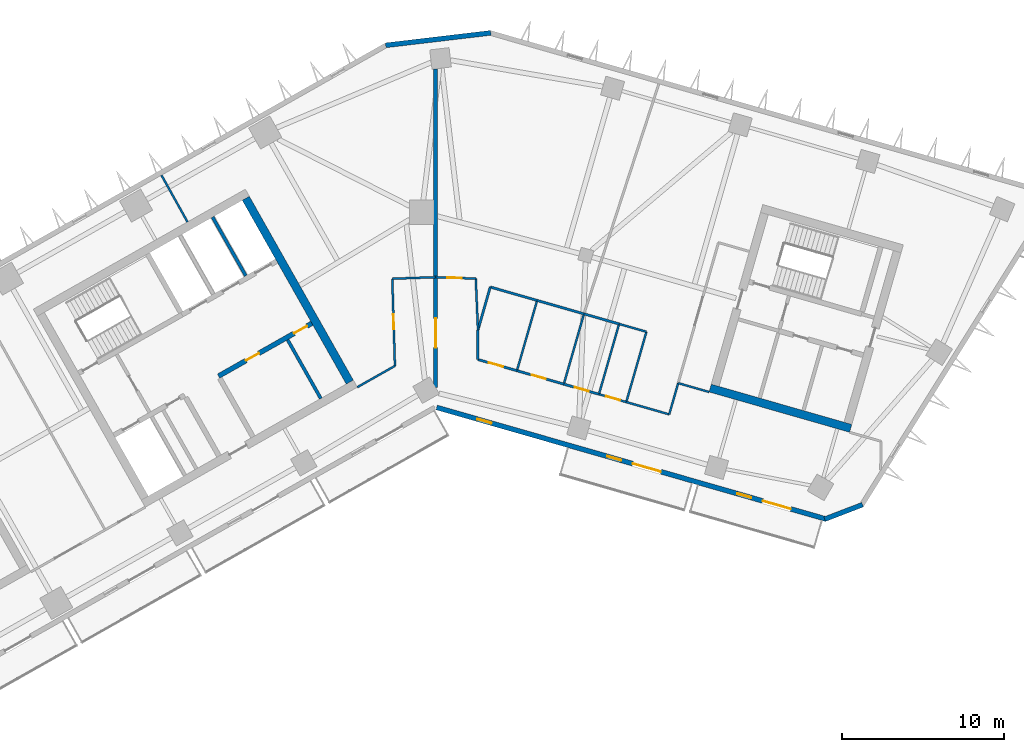
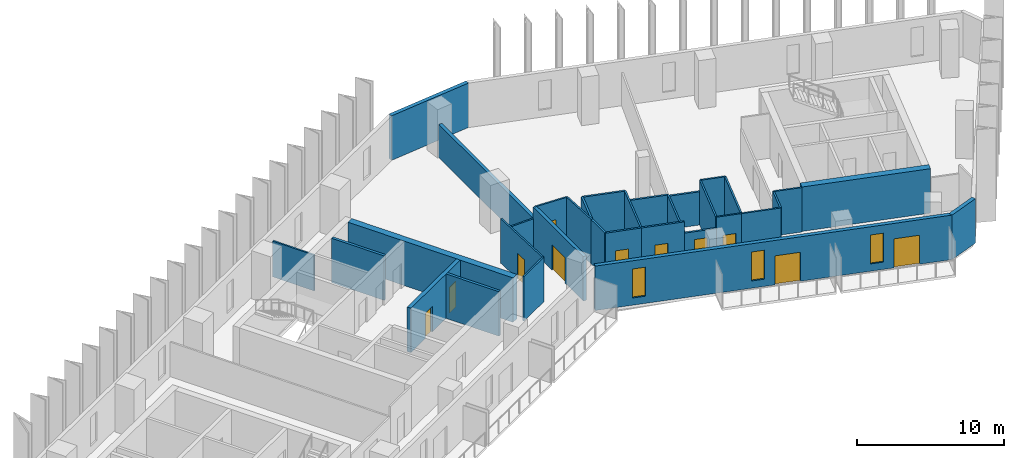
# One storey, part 5 of 10: 33 walls, 11 doors, 3 windows, 14 openings.
"""IFC4 building model written with IfcOpenShell, lengths in metres."""

from ifc_helpers import new_model, si_unit, direction, frame, frame_2d, origin, place, context, subcontext, project, spatial, rectangle, extrude, material, layer, layer_set, type_object, element, fill, save


model = new_model("IFC4")

# Units and contexts
model_context = context("Model", 3, precision=1e-05, world=origin(), true_north=direction((0.0, 1.0)))
body_context = subcontext(model_context, "Body", "Model", "MODEL_VIEW")
ifc_project = project(units=[si_unit("LENGTHUNIT", "METRE"), si_unit("AREAUNIT", "SQUARE_METRE"), si_unit("VOLUMEUNIT", "CUBIC_METRE"), si_unit("PLANEANGLEUNIT", "RADIAN"), si_unit("MASSUNIT", "GRAM", prefix="KILO")], contexts=[model_context])

# Site, building, storey
site_placement = place(None, origin())
site = spatial("IfcSite", under=ifc_project, at=site_placement, CompositionType="ELEMENT")
building_placement = place(site_placement, origin())
building = spatial("IfcBuilding", under=site, at=building_placement, Name="Binnacle Exchange Tower", CompositionType="ELEMENT")
storey_placement = place(building_placement, frame((0.0, 0.0, 178.89990234375)))
storey = spatial("IfcBuildingStorey", under=building, at=storey_placement, Name="L38", CompositionType="ELEMENT", Elevation=178.89990234375)

# Wall
ifc_material_1 = material(Name="Gypsum partition fire rated")
ifc_layer_1 = layer(ifc_material_1, 0.199951171875)
ifc_layer_set_1 = layer_set([ifc_layer_1], Name="Core partition 200")
wall_type_1 = type_object("IfcWallType", Name="Core partition 200", PredefinedType="PARTITIONING", material=ifc_layer_set_1)
wall_1_placement = place(storey_placement, frame((-9.11279296875, 52.14404296875, 0.0), z_axis=(0.0, 0.0, 1.0), x_axis=(0.492396453737, -0.870371031427, 0.0)))
element("IfcWall", 1, at=wall_1_placement, inside=storey, type_object=wall_type_1, Name="Core wall CRWC22", PredefinedType="PARTITIONING", context=body_context, shape_type="SweptSolid", body=[
    extrude(rectangle(XDim=4.14990234375, YDim=0.199951171875, at=frame_2d((2.074951171875, 0.0))), origin(), (0.0, 0.0, 1.0), 3.68017578125),
])

# Wall, openings, doors
ifc_material_2 = material(Name="Concrete C70/85", Category="concrete")
ifc_layer_2 = layer(ifc_material_2, 0.300048828125)
ifc_layer_set_2 = layer_set([ifc_layer_2], Name="Core wall - front 300")
wall_type_2 = type_object("IfcWallType", Name="Core wall - front 300", PredefinedType="SOLIDWALL", material=ifc_layer_set_2)
wall_2_placement = place(storey_placement, frame((-13.364501953125, 49.910888671875, 0.0), z_axis=(0.0, 0.0, 1.0), x_axis=(0.870356769198, 0.492421663121, 0.0)))
wall_2 = element("IfcWall", 2, at=wall_2_placement, inside=storey, type_object=wall_type_2, Name="Core wall CRWC3", PredefinedType="SOLIDWALL", context=body_context, shape_type="SweptSolid", body=[
    extrude(rectangle(XDim=6.60009765625, YDim=0.300048828125, at=frame_2d((3.300048828125, 0.0))), origin(), (0.0, 0.0, 1.0), 3.68017578125),
])
opening_1_placement = place(wall_2_placement, frame((1.949951171875, 0.0, 0.0)))
opening_1 = element("IfcOpeningElement", 3, at=opening_1_placement, cuts=wall_2, Name="Opening DC18", PredefinedType="OPENING", context=body_context, shape_type="SweptSolid", body=[
    extrude(rectangle(XDim=0.89990234375, YDim=2.10009765625, at=frame_2d((0.449951171875, 1.050048828125))), frame((0.0, 0.159912109375, 0.0), z_axis=(0.0, -1.0, 0.0), x_axis=(1.0, 0.0, 0.0)), (0.0, 0.0, 1.0), 0.320068359375),
])
opening_2_placement = place(wall_2_placement, frame((5.35009765625, 0.0, 0.0)))
opening_2 = element("IfcOpeningElement", 4, at=opening_2_placement, cuts=wall_2, Name="Opening DC19", PredefinedType="OPENING", context=body_context, shape_type="SweptSolid", body=[
    extrude(rectangle(XDim=0.89990234375, YDim=2.10009765625, at=frame_2d((0.449951171875, 1.050048828125))), frame((0.0, 0.159912109375, 0.0), z_axis=(0.0, -1.0, 0.0), x_axis=(1.0, 0.0, 0.0)), (0.0, 0.0, 1.0), 0.320068359375),
])
ifc_material_3 = material(Name="Steel door leaf", Category="steel")
door_type_1 = type_object("IfcDoorType", Name="Fire door 900", OperationType="NOTDEFINED", PredefinedType="DOOR", material=ifc_material_3)
door_1_placement = place(opening_1_placement, frame((0.89990234375, 0.0, 0.0), z_axis=(0.0, 0.0, 1.0), x_axis=(-1.0, 0.0, 0.0)))
door_1 = element("IfcDoor", 5, at=door_1_placement, inside=storey, type_object=door_type_1, Name="Core room door TELECOM RISER ROOM", OperationType="SINGLE_SWING_RIGHT", OverallHeight=2.10009765625, OverallWidth=0.89990234375, PredefinedType="DOOR", context=body_context, shape_type="SweptSolid", body=[
    extrude(rectangle(XDim=0.89990234375, YDim=2.10009765625, at=frame_2d((0.449951171875, 1.050048828125))), frame((0.0, 0.02490234375, 0.0), z_axis=(0.0, -1.0, 0.0), x_axis=(1.0, 0.0, 0.0)), (0.0, 0.0, 1.0), 0.050048828125),
])
fill(opening_1, door_1)
door_2_placement = place(opening_2_placement, frame((0.89990234375, 0.0, 0.0), z_axis=(0.0, 0.0, 1.0), x_axis=(-1.0, 0.0, 0.0)))
door_2 = element("IfcDoor", 6, at=door_2_placement, inside=storey, type_object=door_type_1, Name="Core room door FIBRE ENTRY ROOM", OperationType="SINGLE_SWING_LEFT", OverallHeight=2.10009765625, OverallWidth=0.89990234375, PredefinedType="DOOR", context=body_context, shape_type="SweptSolid", body=[
    extrude(rectangle(XDim=0.89990234375, YDim=2.10009765625, at=frame_2d((0.449951171875, 1.050048828125))), frame((0.0, 0.02490234375, 0.0), z_axis=(0.0, -1.0, 0.0), x_axis=(1.0, 0.0, 0.0)), (0.0, 0.0, 1.0), 0.050048828125),
])
fill(opening_2, door_2)

# Walls
ifc_layer_3 = layer(ifc_material_2, 0.5)
ifc_layer_set_3 = layer_set([ifc_layer_3], Name="Core wall - outer 500")
wall_type_3 = type_object("IfcWallType", Name="Core wall - outer 500", PredefinedType="SOLIDWALL", material=ifc_layer_set_3)
wall_3_placement = place(storey_placement, frame((-11.686767578125, 60.856201171875, 0.0), z_axis=(0.0, 0.0, 1.0), x_axis=(0.492427267353, -0.870353598469, 0.0)))
element("IfcWall", 7, at=wall_3_placement, inside=storey, type_object=wall_type_3, Name="Core wall CRWC24", PredefinedType="SOLIDWALL", context=body_context, shape_type="SweptSolid", body=[
    extrude(rectangle(XDim=13.0, YDim=0.5, at=frame_2d((6.5, 0.0))), origin(), (0.0, 0.0, 1.0), 3.68017578125),
])
wall_4_placement = place(storey_placement, frame((16.896728515625, 49.173095703125, 0.0), z_axis=(0.0, 0.0, 1.0), x_axis=(0.96126248289, -0.275634611374, 0.0)))
element("IfcWall", 8, at=wall_4_placement, inside=storey, type_object=wall_type_3, Name="Core wall CRWD1", PredefinedType="SOLIDWALL", context=body_context, shape_type="SweptSolid", body=[
    extrude(rectangle(XDim=9.0, YDim=0.5, at=frame_2d((4.5, 0.0))), origin(), (0.0, 0.0, 1.0), 3.68017578125),
])

# Wall, openings, doors, windows
ifc_material_4 = material(Name="Bronze aluminium cladding", Category="aluminium")
ifc_layer_4 = layer(ifc_material_4, 0.300048828125)
ifc_layer_set_4 = layer_set([ifc_layer_4], Name="External wall - spandrel 300")
wall_type_4 = type_object("IfcWallType", Name="External wall - spandrel 300", PredefinedType="STANDARD", material=ifc_layer_set_4)
wall_5_placement = place(storey_placement, frame((24.04248046875, 41.10595703125, 0.0), z_axis=(0.0, 0.0, 1.0), x_axis=(-0.961261693976, 0.275637362661, 0.0)))
wall_5 = element("IfcWall", 9, at=wall_5_placement, inside=storey, type_object=wall_type_4, Name="External wall EW-G02 L38", PredefinedType="STANDARD", context=body_context, shape_type="SweptSolid", body=[
    extrude(rectangle(XDim=24.948486328125, YDim=0.300048828125, at=frame_2d((12.47412109375, 0.0))), origin(), (0.0, 0.0, 1.0), 3.68017578125),
])
opening_3_placement = place(wall_5_placement, frame((21.441162109375, 0.0, 0.60009765625)))
opening_3 = element("IfcOpeningElement", 10, at=opening_3_placement, cuts=wall_5, Name="Opening WS3", PredefinedType="OPENING", context=body_context, shape_type="SweptSolid", body=[
    extrude(rectangle(XDim=0.89990234375, YDim=2.39990234375, at=frame_2d((0.449951171875, 1.199951171875))), frame((0.0, 0.159912109375, 0.0), z_axis=(0.0, -1.0, 0.0), x_axis=(1.0, 0.0, 0.0)), (0.0, 0.0, 1.0), 0.320068359375),
])
opening_4_placement = place(wall_5_placement, frame((13.120849609375, 0.0, 0.60009765625)))
opening_4 = element("IfcOpeningElement", 11, at=opening_4_placement, cuts=wall_5, Name="Opening WS3", PredefinedType="OPENING", context=body_context, shape_type="SweptSolid", body=[
    extrude(rectangle(XDim=0.89990234375, YDim=2.39990234375, at=frame_2d((0.449951171875, 1.199951171875))), frame((0.0, 0.159912109375, 0.0), z_axis=(0.0, -1.0, 0.0), x_axis=(1.0, 0.0, 0.0)), (0.0, 0.0, 1.0), 0.320068359375),
])
opening_5_placement = place(wall_5_placement, frame((10.5908203125, 0.0, 0.0)))
opening_5 = element("IfcOpeningElement", 12, at=opening_5_placement, cuts=wall_5, Name="Opening D-FS11-06", PredefinedType="OPENING", context=body_context, shape_type="SweptSolid", body=[
    extrude(rectangle(XDim=1.800048828125, YDim=2.39990234375, at=frame_2d((0.89990234375, 1.199951171875))), frame((0.0, 0.159912109375, 0.0), z_axis=(0.0, -1.0, 0.0), x_axis=(1.0, 0.0, 0.0)), (0.0, 0.0, 1.0), 0.320068359375),
])
opening_6_placement = place(wall_5_placement, frame((4.80029296875, 0.0, 0.60009765625)))
opening_6 = element("IfcOpeningElement", 13, at=opening_6_placement, cuts=wall_5, Name="Opening WS3", PredefinedType="OPENING", context=body_context, shape_type="SweptSolid", body=[
    extrude(rectangle(XDim=0.89990234375, YDim=2.39990234375, at=frame_2d((0.449951171875, 1.199951171875))), frame((0.0, 0.159912109375, 0.0), z_axis=(0.0, -1.0, 0.0), x_axis=(1.0, 0.0, 0.0)), (0.0, 0.0, 1.0), 0.320068359375),
])
opening_7_placement = place(wall_5_placement, frame((2.270263671875, 0.0, 0.0)))
opening_7 = element("IfcOpeningElement", 14, at=opening_7_placement, cuts=wall_5, Name="Opening D-FS11-07", PredefinedType="OPENING", context=body_context, shape_type="SweptSolid", body=[
    extrude(rectangle(XDim=1.800048828125, YDim=2.39990234375, at=frame_2d((0.89990234375, 1.199951171875))), frame((0.0, 0.159912109375, 0.0), z_axis=(0.0, -1.0, 0.0), x_axis=(1.0, 0.0, 0.0)), (0.0, 0.0, 1.0), 0.320068359375),
])
ifc_material_5 = material(Name="Bronze anodised aluminium frame", Category="aluminium")
door_type_2 = type_object("IfcDoorType", Name="DB DOOR 1800x2400", OperationType="DOUBLE_DOOR_SINGLE_SWING", PredefinedType="DOOR", material=ifc_material_5)
door_3_placement = place(opening_5_placement, origin())
door_3 = element("IfcDoor", 15, at=door_3_placement, inside=storey, type_object=door_type_2, Name="Door D-FS11-06 L38", OperationType="DOUBLE_DOOR_SINGLE_SWING", OverallHeight=2.39990234375, OverallWidth=1.800048828125, PredefinedType="DOOR", context=body_context, shape_type="SweptSolid", body=[
    extrude(rectangle(XDim=1.800048828125, YDim=2.39990234375, at=frame_2d((0.89990234375, 1.199951171875))), frame((0.0, 0.02490234375, 0.0), z_axis=(0.0, -1.0, 0.0), x_axis=(1.0, 0.0, 0.0)), (0.0, 0.0, 1.0), 0.050048828125),
])
fill(opening_5, door_3)
door_4_placement = place(opening_7_placement, origin())
door_4 = element("IfcDoor", 16, at=door_4_placement, inside=storey, type_object=door_type_2, Name="Door D-FS11-07 L38", OperationType="DOUBLE_DOOR_SINGLE_SWING", OverallHeight=2.39990234375, OverallWidth=1.800048828125, PredefinedType="DOOR", context=body_context, shape_type="SweptSolid", body=[
    extrude(rectangle(XDim=1.800048828125, YDim=2.39990234375, at=frame_2d((0.89990234375, 1.199951171875))), frame((0.0, 0.02490234375, 0.0), z_axis=(0.0, -1.0, 0.0), x_axis=(1.0, 0.0, 0.0)), (0.0, 0.0, 1.0), 0.050048828125),
])
fill(opening_7, door_4)
window_type = type_object("IfcWindowType", Name="WS3 WINDOW 900x2400", PartitioningType="SINGLE_PANEL", PredefinedType="WINDOW", material=ifc_material_5)
window_1_placement = place(opening_3_placement, origin())
window_1 = element("IfcWindow", 17, at=window_1_placement, inside=storey, type_object=window_type, Name="Window WS3 L38", OverallHeight=2.39990234375, OverallWidth=0.89990234375, PartitioningType="SINGLE_PANEL", PredefinedType="WINDOW", context=body_context, shape_type="SweptSolid", body=[
    extrude(rectangle(XDim=0.89990234375, YDim=2.39990234375, at=frame_2d((0.449951171875, 1.199951171875))), frame((0.0, 0.030029296875, 0.0), z_axis=(0.0, -1.0, 0.0), x_axis=(1.0, 0.0, 0.0)), (0.0, 0.0, 1.0), 0.06005859375),
])
fill(opening_3, window_1)
window_2_placement = place(opening_4_placement, origin())
window_2 = element("IfcWindow", 18, at=window_2_placement, inside=storey, type_object=window_type, Name="Window WS3 L38", OverallHeight=2.39990234375, OverallWidth=0.89990234375, PartitioningType="SINGLE_PANEL", PredefinedType="WINDOW", context=body_context, shape_type="SweptSolid", body=[
    extrude(rectangle(XDim=0.89990234375, YDim=2.39990234375, at=frame_2d((0.449951171875, 1.199951171875))), frame((0.0, 0.030029296875, 0.0), z_axis=(0.0, -1.0, 0.0), x_axis=(1.0, 0.0, 0.0)), (0.0, 0.0, 1.0), 0.06005859375),
])
fill(opening_4, window_2)
window_3_placement = place(opening_6_placement, origin())
window_3 = element("IfcWindow", 19, at=window_3_placement, inside=storey, type_object=window_type, Name="Window WS3 L38", OverallHeight=2.39990234375, OverallWidth=0.89990234375, PartitioningType="SINGLE_PANEL", PredefinedType="WINDOW", context=body_context, shape_type="SweptSolid", body=[
    extrude(rectangle(XDim=0.89990234375, YDim=2.39990234375, at=frame_2d((0.449951171875, 1.199951171875))), frame((0.0, 0.030029296875, 0.0), z_axis=(0.0, -1.0, 0.0), x_axis=(1.0, 0.0, 0.0)), (0.0, 0.0, 1.0), 0.06005859375),
])
fill(opening_6, window_3)

# Walls
wall_6_placement = place(storey_placement, frame((26.27783203125, 41.996337890625, 0.0), z_axis=(0.0, 0.0, 1.0), x_axis=(-0.933592404159, -0.358336745112, 0.0)))
element("IfcWall", 20, at=wall_6_placement, inside=storey, type_object=wall_type_4, Name="External wall EW-G03 L38", PredefinedType="STANDARD", context=body_context, shape_type="SweptSolid", body=[
    extrude(rectangle(XDim=2.496337890625, YDim=0.300048828125, at=frame_2d((1.248046875, 0.0))), origin(), (0.0, 0.0, 1.0), 3.68017578125),
])
wall_7_placement = place(storey_placement, frame((-3.076171875, 70.27294921875, 0.0), z_axis=(0.0, 0.0, 1.0), x_axis=(0.993067743007, 0.117543429416, 0.0)))
element("IfcWall", 21, at=wall_7_placement, inside=storey, type_object=wall_type_4, Name="External wall EW-G07 L38", PredefinedType="STANDARD", context=body_context, shape_type="SweptSolid", body=[
    extrude(rectangle(XDim=6.515625, YDim=0.300048828125, at=frame_2d((3.2578125, 0.0))), origin(), (0.0, 0.0, 1.0), 3.68017578125),
])

# Wall, opening, door
ifc_material_6 = material(Name="Concrete fire wall C30/37", Category="concrete")
ifc_layer_5 = layer(ifc_material_6, 0.25)
ifc_layer_set_5 = layer_set([ifc_layer_5], Name="Fire wall - compartment 250")
wall_type_5 = type_object("IfcWallType", Name="Fire wall - compartment 250", PredefinedType="PARTITIONING", material=ifc_layer_set_5)
wall_8_placement = place(storey_placement, frame((0.0, 49.218994140625, 0.0), z_axis=(0.0, 0.0, 1.0), x_axis=(0.0, 1.0, 0.0)))
wall_8 = element("IfcWall", 22, at=wall_8_placement, inside=storey, type_object=wall_type_5, Name="Fire Wall W10", PredefinedType="PARTITIONING", context=body_context, shape_type="SweptSolid", body=[
    extrude(rectangle(XDim=6.781005859375, YDim=0.25, at=frame_2d((3.390625, 0.0))), origin(), (0.0, 0.0, 1.0), 3.68017578125),
])
opening_8_placement = place(wall_8_placement, frame((2.449951171875, 0.0, 0.0)))
opening_8 = element("IfcOpeningElement", 23, at=opening_8_placement, cuts=wall_8, Name="Opening DL38-10", PredefinedType="OPENING", context=body_context, shape_type="SweptSolid", body=[
    extrude(rectangle(XDim=1.800048828125, YDim=2.10009765625, at=frame_2d((0.89990234375, 1.050048828125))), frame((0.0, 0.135009765625, 0.0), z_axis=(0.0, -1.0, 0.0), x_axis=(1.0, 0.0, 0.0)), (0.0, 0.0, 1.0), 0.27001953125),
])
door_type_3 = type_object("IfcDoorType", Name="Fire door 1800", OperationType="NOTDEFINED", PredefinedType="DOOR", material=ifc_material_3)
door_5_placement = place(opening_8_placement, origin())
door_5 = element("IfcDoor", 24, at=door_5_placement, inside=storey, type_object=door_type_3, Name="Door DL38-10", OperationType="DOUBLE_DOOR_SINGLE_SWING", OverallHeight=2.10009765625, OverallWidth=1.800048828125, PredefinedType="DOOR", context=body_context, shape_type="SweptSolid", body=[
    extrude(rectangle(XDim=1.800048828125, YDim=2.10009765625, at=frame_2d((0.89990234375, 1.050048828125))), frame((0.0, 0.02490234375, 0.0), z_axis=(0.0, -1.0, 0.0), x_axis=(1.0, 0.0, 0.0)), (0.0, 0.0, 1.0), 0.050048828125),
])
fill(opening_8, door_5)

# Walls
wall_9_placement = place(storey_placement, frame((0.0, 56.0, 0.0), z_axis=(0.0, 0.0, 1.0), x_axis=(0.0, 1.0, 0.0)))
element("IfcWall", 25, at=wall_9_placement, inside=storey, type_object=wall_type_5, Name="Fire Wall W11", PredefinedType="PARTITIONING", context=body_context, shape_type="SweptSolid", body=[
    extrude(rectangle(XDim=12.823974609375, YDim=0.25, at=frame_2d((6.412109375, 0.0))), origin(), (0.0, 0.0, 1.0), 2.748046875),
])
ifc_layer_6 = layer(ifc_material_1, 0.14990234375)
ifc_layer_set_6 = layer_set([ifc_layer_6], Name="Fire-rated partition 150")
wall_type_6 = type_object("IfcWallType", Name="Fire-rated partition 150", PredefinedType="PARTITIONING", material=ifc_layer_set_6)
wall_10_placement = place(storey_placement, frame((2.60107421875, 50.931884765625, 0.0), z_axis=(0.0, 0.0, 1.0), x_axis=(0.001073104681, 0.999999424223, 0.0)))
element("IfcWall", 26, at=wall_10_placement, inside=storey, type_object=wall_type_6, Name="Partition W14", PredefinedType="PARTITIONING", context=body_context, shape_type="SweptSolid", body=[
    extrude(rectangle(XDim=1.820068359375, YDim=0.14990234375, at=frame_2d((0.91015625, 0.0))), origin(), (0.0, 0.0, 1.0), 3.68017578125),
])

# Wall, opening, door
wall_11_placement = place(storey_placement, frame((2.60107421875, 50.931884765625, 0.0), z_axis=(0.0, 0.0, 1.0), x_axis=(0.961265528111, -0.275623991092, 0.0)))
wall_11 = element("IfcWall", 27, at=wall_11_placement, inside=storey, type_object=wall_type_6, Name="Partition W15", PredefinedType="PARTITIONING", context=body_context, shape_type="SweptSolid", body=[
    extrude(rectangle(XDim=2.499755859375, YDim=0.14990234375, at=frame_2d((1.25, 0.0))), origin(), (0.0, 0.0, 1.0), 3.68017578125),
])
opening_9_placement = place(wall_11_placement, frame((0.699951171875, 0.0, 0.0)))
opening_9 = element("IfcOpeningElement", 28, at=opening_9_placement, cuts=wall_11, Name="Opening DL38-04", PredefinedType="OPENING", context=body_context, shape_type="SweptSolid", body=[
    extrude(rectangle(XDim=0.89990234375, YDim=2.10009765625, at=frame_2d((0.449951171875, 1.050048828125))), frame((0.0, 0.0849609375, 0.0), z_axis=(0.0, -1.0, 0.0), x_axis=(1.0, 0.0, 0.0)), (0.0, 0.0, 1.0), 0.169921875),
])
door_6_placement = place(opening_9_placement, origin())
door_6 = element("IfcDoor", 29, at=door_6_placement, inside=storey, type_object=door_type_1, Name="Door DL38-04", OperationType="SINGLE_SWING_LEFT", OverallHeight=2.10009765625, OverallWidth=0.89990234375, PredefinedType="DOOR", context=body_context, shape_type="SweptSolid", body=[
    extrude(rectangle(XDim=0.89990234375, YDim=2.10009765625, at=frame_2d((0.449951171875, 1.050048828125))), frame((0.0, 0.02490234375, 0.0), z_axis=(0.0, -1.0, 0.0), x_axis=(1.0, 0.0, 0.0)), (0.0, 0.0, 1.0), 0.050048828125),
])
fill(opening_9, door_6)

# Walls
wall_12_placement = place(storey_placement, frame((2.60302734375, 52.751953125, 0.0), z_axis=(0.0, 0.0, 1.0), x_axis=(0.27569433145, 0.961245356611, 0.0)))
element("IfcWall", 30, at=wall_12_placement, inside=storey, type_object=wall_type_6, Name="Partition W16", PredefinedType="PARTITIONING", context=body_context, shape_type="SweptSolid", body=[
    extrude(rectangle(XDim=2.74951171875, YDim=0.14990234375, at=frame_2d((1.374755859375, 0.0))), origin(), (0.0, 0.0, 1.0), 3.68017578125),
])
wall_13_placement = place(storey_placement, frame((3.361083984375, 55.39501953125, 0.0), z_axis=(0.0, 0.0, 1.0), x_axis=(0.961268664977, -0.27561305073, 0.0)))
element("IfcWall", 31, at=wall_13_placement, inside=storey, type_object=wall_type_6, Name="Partition W17", PredefinedType="PARTITIONING", context=body_context, shape_type="SweptSolid", body=[
    extrude(rectangle(XDim=3.000244140625, YDim=0.14990234375, at=frame_2d((1.5, 0.0))), origin(), (0.0, 0.0, 1.0), 3.68017578125),
])

# Wall, opening, door
wall_14_placement = place(storey_placement, frame((5.00390625, 50.242919921875, 0.0), z_axis=(0.0, 0.0, 1.0), x_axis=(0.961268664977, -0.27561305073, 0.0)))
wall_14 = element("IfcWall", 32, at=wall_14_placement, inside=storey, type_object=wall_type_6, Name="Partition W19", PredefinedType="PARTITIONING", context=body_context, shape_type="SweptSolid", body=[
    extrude(rectangle(XDim=3.000244140625, YDim=0.14990234375, at=frame_2d((1.5, 0.0))), origin(), (0.0, 0.0, 1.0), 3.68017578125),
])
opening_10_placement = place(wall_14_placement, frame((0.949951171875, 0.0, 0.0)))
opening_10 = element("IfcOpeningElement", 33, at=opening_10_placement, cuts=wall_14, Name="Opening DL38-05", PredefinedType="OPENING", context=body_context, shape_type="SweptSolid", body=[
    extrude(rectangle(XDim=0.89990234375, YDim=2.10009765625, at=frame_2d((0.449951171875, 1.050048828125))), frame((0.0, 0.0849609375, 0.0), z_axis=(0.0, -1.0, 0.0), x_axis=(1.0, 0.0, 0.0)), (0.0, 0.0, 1.0), 0.169921875),
])
door_7_placement = place(opening_10_placement, origin())
door_7 = element("IfcDoor", 34, at=door_7_placement, inside=storey, type_object=door_type_1, Name="Door DL38-05", OperationType="SINGLE_SWING_LEFT", OverallHeight=2.10009765625, OverallWidth=0.89990234375, PredefinedType="DOOR", context=body_context, shape_type="SweptSolid", body=[
    extrude(rectangle(XDim=0.89990234375, YDim=2.10009765625, at=frame_2d((0.449951171875, 1.050048828125))), frame((0.0, 0.02490234375, 0.0), z_axis=(0.0, -1.0, 0.0), x_axis=(1.0, 0.0, 0.0)), (0.0, 0.0, 1.0), 0.050048828125),
])
fill(opening_10, door_7)

# Wall
wall_15_placement = place(storey_placement, frame((6.2451171875, 54.568115234375, 0.0), z_axis=(0.0, 0.0, 1.0), x_axis=(0.961240918172, -0.275709806194, 0.0)))
element("IfcWall", 35, at=wall_15_placement, inside=storey, type_object=wall_type_6, Name="Partition W20", PredefinedType="PARTITIONING", context=body_context, shape_type="SweptSolid", body=[
    extrude(rectangle(XDim=3.0, YDim=0.14990234375, at=frame_2d((1.5, 0.0))), origin(), (0.0, 0.0, 1.0), 2.85205078125),
])

# Wall, opening, door
wall_16_placement = place(storey_placement, frame((7.887939453125, 49.416015625, 0.0), z_axis=(0.0, 0.0, 1.0), x_axis=(0.9611628742, -0.275981755301, 0.0)))
wall_16 = element("IfcWall", 36, at=wall_16_placement, inside=storey, type_object=wall_type_6, Name="Partition W22", PredefinedType="PARTITIONING", context=body_context, shape_type="SweptSolid", body=[
    extrude(rectangle(XDim=2.25048828125, YDim=0.14990234375, at=frame_2d((1.125244140625, 0.0))), origin(), (0.0, 0.0, 1.0), 2.748046875),
])
opening_11_placement = place(wall_16_placement, frame((0.699951171875, 0.0, 0.0)))
opening_11 = element("IfcOpeningElement", 37, at=opening_11_placement, cuts=wall_16, Name="Opening DL38-06", PredefinedType="OPENING", context=body_context, shape_type="SweptSolid", body=[
    extrude(rectangle(XDim=0.89990234375, YDim=2.10009765625, at=frame_2d((0.449951171875, 1.050048828125))), frame((0.0, 0.0849609375, 0.0), z_axis=(0.0, -1.0, 0.0), x_axis=(1.0, 0.0, 0.0)), (0.0, 0.0, 1.0), 0.169921875),
])
door_8_placement = place(opening_11_placement, origin())
door_8 = element("IfcDoor", 38, at=door_8_placement, inside=storey, type_object=door_type_1, Name="Door DL38-06", OperationType="SINGLE_SWING_RIGHT", OverallHeight=2.10009765625, OverallWidth=0.89990234375, PredefinedType="DOOR", context=body_context, shape_type="SweptSolid", body=[
    extrude(rectangle(XDim=0.89990234375, YDim=2.10009765625, at=frame_2d((0.449951171875, 1.050048828125))), frame((0.0, 0.02490234375, 0.0), z_axis=(0.0, -1.0, 0.0), x_axis=(1.0, 0.0, 0.0)), (0.0, 0.0, 1.0), 0.050048828125),
])
fill(opening_11, door_8)

# Walls
wall_17_placement = place(storey_placement, frame((9.12890625, 53.740966796875, 0.0), z_axis=(0.0, 0.0, 1.0), x_axis=(0.961273691875, -0.275595517578, 0.0)))
element("IfcWall", 39, at=wall_17_placement, inside=storey, type_object=wall_type_6, Name="Partition W23", PredefinedType="PARTITIONING", context=body_context, shape_type="SweptSolid", body=[
    extrude(rectangle(XDim=2.249267578125, YDim=0.14990234375, at=frame_2d((1.12451171875, 0.0))), origin(), (0.0, 0.0, 1.0), 2.748046875),
])
ifc_material_7 = material(Name="Gypsum partition")
ifc_layer_7 = layer(ifc_material_7, 0.125)
ifc_layer_set_7 = layer_set([ifc_layer_7], Name="Partition 125")
wall_type_7 = type_object("IfcWallType", Name="Partition 125", PredefinedType="PARTITIONING", material=ifc_layer_set_7)
wall_18_placement = place(storey_placement, frame((-16.87890625, 62.278076171875, 0.0), z_axis=(0.0, 0.0, 1.0), x_axis=(0.486580163018, -0.873635933875, 0.0)))
element("IfcWall", 40, at=wall_18_placement, inside=storey, type_object=wall_type_7, Name="Partition W06", PredefinedType="PARTITIONING", context=body_context, shape_type="SweptSolid", body=[
    extrude(rectangle(XDim=3.29443359375, YDim=0.125, at=frame_2d((1.647216796875, 0.0))), origin(), (0.0, 0.0, 1.0), 2.960205078125),
])
wall_19_placement = place(storey_placement, frame((-4.821044921875, 49.22998046875, 0.0), z_axis=(0.0, 0.0, 1.0), x_axis=(0.870371217631, 0.492396124598, 0.0)))
element("IfcWall", 41, at=wall_19_placement, inside=storey, type_object=wall_type_7, Name="Partition W07", PredefinedType="PARTITIONING", context=body_context, shape_type="SweptSolid", body=[
    extrude(rectangle(XDim=2.65869140625, YDim=0.125, at=frame_2d((1.329345703125, 0.0))), origin(), (0.0, 0.0, 1.0), 3.68017578125),
])

# Wall, opening, door
wall_20_placement = place(storey_placement, frame((-2.669921875, 55.904052734375, 0.0), z_axis=(0.0, 0.0, 1.0), x_axis=(0.030338701418, -0.999539675649, 0.0)))
wall_20 = element("IfcWall", 42, at=wall_20_placement, inside=storey, type_object=wall_type_7, Name="Partition W08", PredefinedType="PARTITIONING", context=body_context, shape_type="SweptSolid", body=[
    extrude(rectangle(XDim=5.367431640625, YDim=0.125, at=frame_2d((2.68359375, 0.0))), origin(), (0.0, 0.0, 1.0), 3.68017578125),
])
opening_12_placement = place(wall_20_placement, frame((2.199951171875, 0.0, 0.0)))
opening_12 = element("IfcOpeningElement", 43, at=opening_12_placement, cuts=wall_20, Name="Opening DL38-03", PredefinedType="OPENING", context=body_context, shape_type="SweptSolid", body=[
    extrude(rectangle(XDim=0.89990234375, YDim=2.10009765625, at=frame_2d((0.449951171875, 1.050048828125))), frame((0.0, 0.072509765625, 0.0), z_axis=(0.0, -1.0, 0.0), x_axis=(1.0, 0.0, 0.0)), (0.0, 0.0, 1.0), 0.14501953125),
])
ifc_material_8 = material(Name="Timber door leaf", Category="wood")
door_type_4 = type_object("IfcDoorType", Name="Door 900", OperationType="NOTDEFINED", PredefinedType="DOOR", material=ifc_material_8)
door_9_placement = place(opening_12_placement, frame((0.89990234375, 0.0, 0.0), z_axis=(0.0, 0.0, 1.0), x_axis=(-1.0, 0.0, 0.0)))
door_9 = element("IfcDoor", 44, at=door_9_placement, inside=storey, type_object=door_type_4, Name="Door DL38-03", OperationType="SINGLE_SWING_RIGHT", OverallHeight=2.10009765625, OverallWidth=0.89990234375, PredefinedType="DOOR", context=body_context, shape_type="SweptSolid", body=[
    extrude(rectangle(XDim=0.89990234375, YDim=2.10009765625, at=frame_2d((0.449951171875, 1.050048828125))), frame((0.0, 0.02490234375, 0.0), z_axis=(0.0, -1.0, 0.0), x_axis=(1.0, 0.0, 0.0)), (0.0, 0.0, 1.0), 0.050048828125),
])
fill(opening_12, door_9)

# Wall
wall_21_placement = place(storey_placement, frame((-2.669921875, 55.904052734375, 0.0), z_axis=(0.0, 0.0, 1.0), x_axis=(0.999354913865, 0.03591317494, 0.0)))
element("IfcWall", 45, at=wall_21_placement, inside=storey, type_object=wall_type_7, Name="Partition W09", PredefinedType="PARTITIONING", context=body_context, shape_type="SweptSolid", body=[
    extrude(rectangle(XDim=2.671630859375, YDim=0.125, at=frame_2d((1.3359375, 0.0))), origin(), (0.0, 0.0, 1.0), 2.748046875),
])

# Wall, opening, door
wall_22_placement = place(storey_placement, frame((0.0, 56.0, 0.0), z_axis=(0.0, 0.0, 1.0), x_axis=(0.999349313684, -0.036068673934, 0.0)))
wall_22 = element("IfcWall", 46, at=wall_22_placement, inside=storey, type_object=wall_type_7, Name="Partition W12", PredefinedType="PARTITIONING", context=body_context, shape_type="SweptSolid", body=[
    extrude(rectangle(XDim=2.470703125, YDim=0.125, at=frame_2d((1.2353515625, 0.0))), origin(), (0.0, 0.0, 1.0), 3.68017578125),
])
opening_13_placement = place(wall_22_placement, frame((0.699951171875, 0.0, 0.0)))
opening_13 = element("IfcOpeningElement", 47, at=opening_13_placement, cuts=wall_22, Name="Opening DL38-08", PredefinedType="OPENING", context=body_context, shape_type="SweptSolid", body=[
    extrude(rectangle(XDim=0.89990234375, YDim=2.10009765625, at=frame_2d((0.449951171875, 1.050048828125))), frame((0.0, 0.072509765625, 0.0), z_axis=(0.0, -1.0, 0.0), x_axis=(1.0, 0.0, 0.0)), (0.0, 0.0, 1.0), 0.14501953125),
])
door_10_placement = place(opening_13_placement, origin())
door_10 = element("IfcDoor", 48, at=door_10_placement, inside=storey, type_object=door_type_4, Name="Door DL38-08", OperationType="SINGLE_SWING_LEFT", OverallHeight=2.10009765625, OverallWidth=0.89990234375, PredefinedType="DOOR", context=body_context, shape_type="SweptSolid", body=[
    extrude(rectangle(XDim=0.89990234375, YDim=2.10009765625, at=frame_2d((0.449951171875, 1.050048828125))), frame((0.0, 0.02490234375, 0.0), z_axis=(0.0, -1.0, 0.0), x_axis=(1.0, 0.0, 0.0)), (0.0, 0.0, 1.0), 0.050048828125),
])
fill(opening_13, door_10)

# Walls
wall_23_placement = place(storey_placement, frame((2.468994140625, 55.910888671875, 0.0), z_axis=(0.0, 0.0, 1.0), x_axis=(0.042391721597, -0.99910106693, 0.0)))
element("IfcWall", 49, at=wall_23_placement, inside=storey, type_object=wall_type_7, Name="Partition W13", PredefinedType="PARTITIONING", context=body_context, shape_type="SweptSolid", body=[
    extrude(rectangle(XDim=3.161865234375, YDim=0.125, at=frame_2d((1.5810546875, 0.0))), origin(), (0.0, 0.0, 1.0), 3.68017578125),
])
wall_24_placement = place(storey_placement, frame((5.00390625, 50.242919921875, 0.0), z_axis=(0.0, 0.0, 1.0), x_axis=(0.275838825927, 0.961203902464, 0.0)))
element("IfcWall", 50, at=wall_24_placement, inside=storey, type_object=wall_type_7, Name="Partition W18", PredefinedType="PARTITIONING", context=body_context, shape_type="SweptSolid", body=[
    extrude(rectangle(XDim=4.499755859375, YDim=0.125, at=frame_2d((2.25, 0.0))), origin(), (0.0, 0.0, 1.0), 3.68017578125),
])
wall_25_placement = place(storey_placement, frame((7.887939453125, 49.416015625, 0.0), z_axis=(0.0, 0.0, 1.0), x_axis=(0.275803080638, 0.96121415965, 0.0)))
element("IfcWall", 51, at=wall_25_placement, inside=storey, type_object=wall_type_7, Name="Partition W21", PredefinedType="PARTITIONING", context=body_context, shape_type="SweptSolid", body=[
    extrude(rectangle(XDim=4.49951171875, YDim=0.125, at=frame_2d((2.249755859375, 0.0))), origin(), (0.0, 0.0, 1.0), 2.85205078125),
])
wall_26_placement = place(storey_placement, frame((10.051025390625, 48.794921875, 0.0), z_axis=(0.0, 0.0, 1.0), x_axis=(0.275530671241, 0.961292280841, 0.0)))
element("IfcWall", 52, at=wall_26_placement, inside=storey, type_object=wall_type_7, Name="Partition W25", PredefinedType="PARTITIONING", context=body_context, shape_type="SweptSolid", body=[
    extrude(rectangle(XDim=4.50048828125, YDim=0.125, at=frame_2d((2.250244140625, 0.0))), origin(), (0.0, 0.0, 1.0), 3.68017578125),
])

# Wall, opening, door
wall_27_placement = place(storey_placement, frame((10.051025390625, 48.794921875, 0.0), z_axis=(0.0, 0.0, 1.0), x_axis=(0.961313033798, -0.275458256455, 0.0)))
wall_27 = element("IfcWall", 53, at=wall_27_placement, inside=storey, type_object=wall_type_7, Name="Partition W26", PredefinedType="PARTITIONING", context=body_context, shape_type="SweptSolid", body=[
    extrude(rectangle(XDim=1.74951171875, YDim=0.125, at=frame_2d((0.874755859375, 0.0))), origin(), (0.0, 0.0, 1.0), 3.68017578125),
])
opening_14_placement = place(wall_27_placement, frame((0.449951171875, 0.0, 0.0)))
opening_14 = element("IfcOpeningElement", 54, at=opening_14_placement, cuts=wall_27, Name="Opening DL38-07", PredefinedType="OPENING", context=body_context, shape_type="SweptSolid", body=[
    extrude(rectangle(XDim=0.89990234375, YDim=2.10009765625, at=frame_2d((0.449951171875, 1.050048828125))), frame((0.0, 0.072509765625, 0.0), z_axis=(0.0, -1.0, 0.0), x_axis=(1.0, 0.0, 0.0)), (0.0, 0.0, 1.0), 0.14501953125),
])
door_11_placement = place(opening_14_placement, origin())
door_11 = element("IfcDoor", 55, at=door_11_placement, inside=storey, type_object=door_type_4, Name="Door DL38-07", OperationType="SINGLE_SWING_RIGHT", OverallHeight=2.10009765625, OverallWidth=0.89990234375, PredefinedType="DOOR", context=body_context, shape_type="SweptSolid", body=[
    extrude(rectangle(XDim=0.89990234375, YDim=2.10009765625, at=frame_2d((0.449951171875, 1.050048828125))), frame((0.0, 0.02490234375, 0.0), z_axis=(0.0, -1.0, 0.0), x_axis=(1.0, 0.0, 0.0)), (0.0, 0.0, 1.0), 0.050048828125),
])
fill(opening_14, door_11)

# Walls
wall_28_placement = place(storey_placement, frame((11.291015625, 53.12109375, 0.0), z_axis=(0.0, 0.0, 1.0), x_axis=(0.961329010357, -0.275402494264, 0.0)))
element("IfcWall", 56, at=wall_28_placement, inside=storey, type_object=wall_type_7, Name="Partition W27", PredefinedType="PARTITIONING", context=body_context, shape_type="SweptSolid", body=[
    extrude(rectangle(XDim=1.750732421875, YDim=0.125, at=frame_2d((0.87548828125, 0.0))), origin(), (0.0, 0.0, 1.0), 3.68017578125),
])
wall_29_placement = place(storey_placement, frame((11.73291015625, 48.31298828125, 0.0), z_axis=(0.0, 0.0, 1.0), x_axis=(0.275795676316, 0.961216284155, 0.0)))
element("IfcWall", 57, at=wall_29_placement, inside=storey, type_object=wall_type_7, Name="Partition W28", PredefinedType="PARTITIONING", context=body_context, shape_type="SweptSolid", body=[
    extrude(rectangle(XDim=4.50048828125, YDim=0.125, at=frame_2d((2.250244140625, 0.0))), origin(), (0.0, 0.0, 1.0), 3.68017578125),
])
wall_30_placement = place(storey_placement, frame((11.73291015625, 48.31298828125, 0.0), z_axis=(0.0, 0.0, 1.0), x_axis=(0.961272337704, -0.275600240865, 0.0)))
element("IfcWall", 58, at=wall_30_placement, inside=storey, type_object=wall_type_7, Name="Partition W29", PredefinedType="PARTITIONING", context=body_context, shape_type="SweptSolid", body=[
    extrude(rectangle(XDim=2.75048828125, YDim=0.125, at=frame_2d((1.375244140625, 0.0))), origin(), (0.0, 0.0, 1.0), 3.68017578125),
])
wall_31_placement = place(storey_placement, frame((14.376953125, 47.554931640625, 0.0), z_axis=(0.0, 0.0, 1.0), x_axis=(0.275446387355, 0.961316434736, 0.0)))
element("IfcWall", 59, at=wall_31_placement, inside=storey, type_object=wall_type_7, Name="Partition W30", PredefinedType="PARTITIONING", context=body_context, shape_type="SweptSolid", body=[
    extrude(rectangle(XDim=2.00048828125, YDim=0.125, at=frame_2d((1.000244140625, 0.0))), origin(), (0.0, 0.0, 1.0), 3.68017578125),
])
wall_32_placement = place(storey_placement, frame((14.927978515625, 49.47802734375, 0.0), z_axis=(0.0, 0.0, 1.0), x_axis=(0.961243778232, -0.27569983462, 0.0)))
element("IfcWall", 60, at=wall_32_placement, inside=storey, type_object=wall_type_7, Name="Partition W31", PredefinedType="PARTITIONING", context=body_context, shape_type="SweptSolid", body=[
    extrude(rectangle(XDim=1.9765625, YDim=0.125, at=frame_2d((0.98828125, 0.0))), origin(), (0.0, 0.0, 1.0), 3.68017578125),
])
ifc_material_9 = material(Name="Masonry block wall", Category="masonry")
ifc_layer_8 = layer(ifc_material_9, 0.199951171875)
ifc_layer_set_8 = layer_set([ifc_layer_8], Name="Shaft wall 200")
wall_type_8 = type_object("IfcWallType", Name="Shaft wall 200", PredefinedType="SOLIDWALL", material=ifc_layer_set_8)
wall_33_placement = place(storey_placement, frame((-13.73193359375, 59.698974609375, 0.0), z_axis=(0.0, 0.0, 1.0), x_axis=(0.492396453737, -0.870371031427, 0.0)))
element("IfcWall", 61, at=wall_33_placement, inside=storey, type_object=wall_type_8, Name="Core wall CRWC21", PredefinedType="SOLIDWALL", context=body_context, shape_type="SweptSolid", body=[
    extrude(rectangle(XDim=4.14990234375, YDim=0.199951171875, at=frame_2d((2.074951171875, 0.0))), origin(), (0.0, 0.0, 1.0), 3.68017578125),
])

save(model, "model.ifc")
